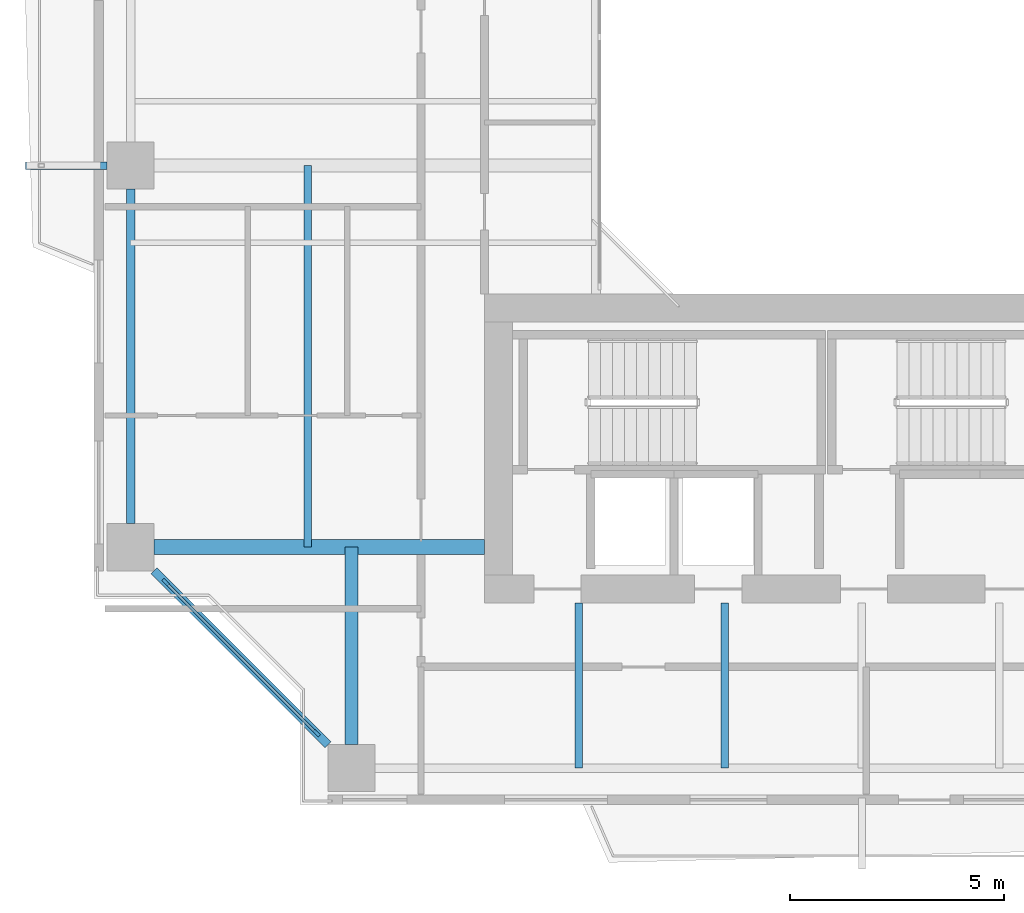
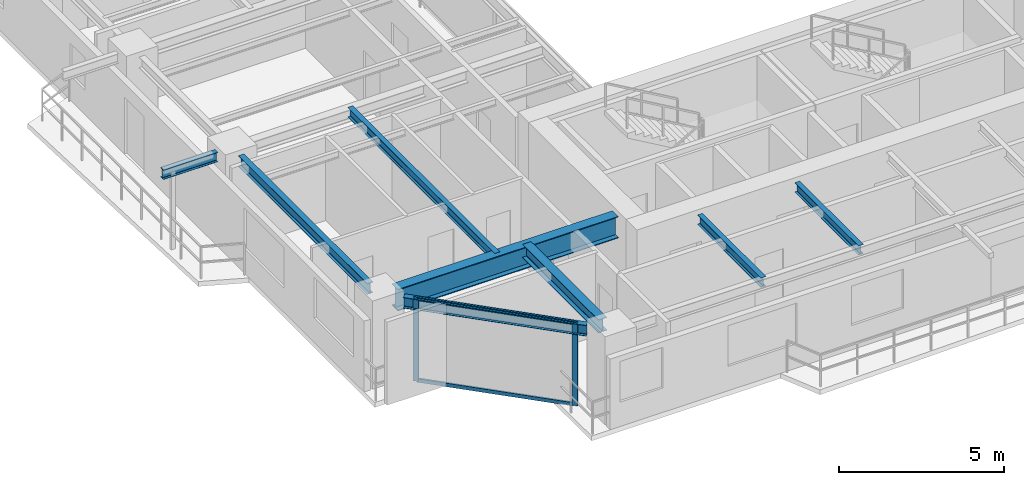
# One storey, part 2 of 17: 8 beams, 4 members, 1 element without a shape of its own.
"""IFC4 building model written with IfcOpenShell, lengths in metres."""

from ifc_helpers import new_model, si_unit, direction, frame, origin, origin_2d, place, context, subcontext, project, spatial, rectangle, i_section, extrude, source, transform, mapped, material, layer, layer_set, material_profile, profile_set, type_object, element, aggregate, save


model = new_model("IFC4")

# Units and contexts
model_context = context("Model", 3, precision=1e-05, world=origin(), true_north=direction((0.0, 1.0)))
body_context = subcontext(model_context, "Body", "Model", "MODEL_VIEW")
ifc_project = project(units=[si_unit("LENGTHUNIT", "METRE"), si_unit("AREAUNIT", "SQUARE_METRE"), si_unit("VOLUMEUNIT", "CUBIC_METRE"), si_unit("PLANEANGLEUNIT", "RADIAN"), si_unit("MASSUNIT", "GRAM", prefix="KILO"), si_unit("THERMODYNAMICTEMPERATUREUNIT", "KELVIN"), si_unit("POWERUNIT", "WATT")], contexts=[model_context])

# Site, building, storey
site_placement = place(None, origin())
site = spatial("IfcSite", under=ifc_project, at=site_placement, CompositionType="ELEMENT")
building_placement = place(site_placement, origin())
building = spatial("IfcBuilding", under=site, at=building_placement, Name="Qiaomeng Ring Towers", CompositionType="ELEMENT")
storey_placement = place(building_placement, frame((0.0, 0.0, 126.25)))
storey = spatial("IfcBuildingStorey", under=building, at=storey_placement, Name="L36", CompositionType="ELEMENT", Elevation=126.25)

# Beams
ifc_material_1 = material(Name="Steel Q355B", Category="steel")
ifc_material_profile_1 = material_profile(ifc_material_1, i_section(OverallWidth=0.199951171875, OverallDepth=0.39990234375, WebThickness=0.008056640625, FlangeThickness=0.012939453125, FilletRadius=0.01611328125, at=origin_2d()), Name="HN 400x200x8x13")
ifc_profile_set_1 = profile_set([ifc_material_profile_1], Name="Steel Q355B")
beam_type_1 = type_object("IfcBeamType", Name="STR-BM-HN400", PredefinedType="SPANDREL", material=ifc_profile_set_1)
shared_shape_1 = source(origin(), body_context, "Body", "SweptSolid", [
    extrude(i_section(OverallWidth=0.199951171875, OverallDepth=0.39990234375, WebThickness=0.008056640625, FlangeThickness=0.012939453125, FilletRadius=0.01611328125, at=origin_2d()), origin(), (0.0, 0.0, 1.0), 5.729736328125),
])
beam_1_placement = place(storey_placement, frame((2.499267578125, 10.55078125, 2.8701171875), z_axis=(0.707106781187, -0.707106781187, 0.0), x_axis=(0.707106781187, 0.707106781187, 0.0)))
element("IfcBeam", 1, at=beam_1_placement, inside=storey, type_object=beam_type_1, Name="L36 beam STR-SP-L36-T1-W1-S1", PredefinedType="SPANDREL", context=body_context, shape_type="MappedRepresentation", body=[
    mapped(shared_shape_1, transform((0.0, 0.0, 0.0), x_axis=(1.0, 0.0, 0.0), y_axis=(0.0, 1.0, 0.0), z_axis=(0.0, 0.0, 1.0), scale=1.0)),
])
shared_shape_2 = source(origin(), body_context, "Body", "SweptSolid", [
    extrude(i_section(OverallWidth=0.199951171875, OverallDepth=0.39990234375, WebThickness=0.008056640625, FlangeThickness=0.012939453125, FilletRadius=0.01611328125, at=origin_2d()), origin(), (0.0, 0.0, 1.0), 7.802001953125),
])
beam_2_placement = place(storey_placement, frame((1.949951171875, 19.450927734375, 2.8701171875), z_axis=(0.0, -1.0, 0.0), x_axis=(1.0, 0.0, 0.0)))
element("IfcBeam", 2, at=beam_2_placement, inside=storey, type_object=beam_type_1, Name="L36 beam STR-SP-L36-T1-W2-W1", PredefinedType="SPANDREL", context=body_context, shape_type="MappedRepresentation", body=[
    mapped(shared_shape_2, transform((0.0, 0.0, 0.0), x_axis=(1.0, 0.0, 0.0), y_axis=(0.0, 1.0, 0.0), z_axis=(0.0, 0.0, 1.0), scale=1.0)),
])
ifc_material_2 = material(Name="Steel Q390GJC", Category="steel")
ifc_material_profile_2 = material_profile(ifc_material_2, i_section(OverallWidth=0.35009765625, OverallDepth=0.800048828125, WebThickness=0.01611328125, FlangeThickness=0.028076171875, at=origin_2d()), Name="WH 800x350x16x28")
ifc_profile_set_2 = profile_set([ifc_material_profile_2], Name="Steel Q390GJC")
beam_type_2 = type_object("IfcBeamType", Name="STR-BM-WH800", PredefinedType="BEAM", material=ifc_profile_set_2)
shared_shape_3 = source(origin(), body_context, "Body", "SweptSolid", [
    extrude(i_section(OverallWidth=0.35009765625, OverallDepth=0.800048828125, WebThickness=0.01611328125, FlangeThickness=0.028076171875, at=origin_2d()), origin(), (0.0, 0.0, 1.0), 7.700927734375),
])
beam_3_placement = place(storey_placement, frame((2.4990234375, 11.10009765625, 2.669921875), z_axis=(1.0, 0.0, 0.0), x_axis=(0.0, 1.0, 0.0)))
element("IfcBeam", 3, at=beam_3_placement, inside=storey, type_object=beam_type_2, Name="L36 beam STR-BM-L36-T1-RAD-W1", PredefinedType="BEAM", context=body_context, shape_type="MappedRepresentation", body=[
    mapped(shared_shape_3, transform((0.0, 0.0, 0.0), x_axis=(1.0, 0.0, 0.0), y_axis=(0.0, 1.0, 0.0), z_axis=(0.0, 0.0, 1.0), scale=1.0)),
])
ifc_material_profile_3 = material_profile(ifc_material_1, i_section(OverallWidth=0.300048828125, OverallDepth=0.488037109375, WebThickness=0.010986328125, FlangeThickness=0.01806640625, FilletRadius=0.02587890625, at=origin_2d()), Name="HM 488x300x11x18")
ifc_profile_set_3 = profile_set([ifc_material_profile_3], Name="Steel Q355B")
beam_type_3 = type_object("IfcBeamType", Name="STR-BM-HM488", PredefinedType="BEAM", material=ifc_profile_set_3)
shared_shape_4 = source(origin(), body_context, "Body", "SweptSolid", [
    extrude(i_section(OverallWidth=0.300048828125, OverallDepth=0.488037109375, WebThickness=0.010986328125, FlangeThickness=0.01806640625, FilletRadius=0.02587890625, at=origin_2d()), origin(), (0.0, 0.0, 1.0), 4.60107421875),
])
beam_4_placement = place(storey_placement, frame((7.10009765625, 6.4990234375, 2.825927734375), z_axis=(0.0, 1.0, 0.0), x_axis=(-1.0, 0.0, 0.0)))
element("IfcBeam", 4, at=beam_4_placement, inside=storey, type_object=beam_type_3, Name="L36 beam STR-BM-L36-T1-RAD-S1", PredefinedType="BEAM", context=body_context, shape_type="MappedRepresentation", body=[
    mapped(shared_shape_4, transform((0.0, 0.0, 0.0), x_axis=(1.0, 0.0, 0.0), y_axis=(0.0, 1.0, 0.0), z_axis=(0.0, 0.0, 1.0), scale=1.0)),
])
ifc_material_profile_4 = material_profile(ifc_material_1, i_section(OverallWidth=0.175048828125, OverallDepth=0.35009765625, WebThickness=0.007080078125, FlangeThickness=0.010986328125, FilletRadius=0.013916015625, at=origin_2d()), Name="HN 350x175x7x11")
ifc_profile_set_4 = profile_set([ifc_material_profile_4], Name="Steel Q355B")
beam_type_4 = type_object("IfcBeamType", Name="STR-BM-HN350", PredefinedType="JOIST", material=ifc_profile_set_4)
shared_shape_5 = source(origin(), body_context, "Body", "SweptSolid", [
    extrude(i_section(OverallWidth=0.175048828125, OverallDepth=0.35009765625, WebThickness=0.007080078125, FlangeThickness=0.010986328125, FilletRadius=0.013916015625, at=origin_2d()), origin(), (0.0, 0.0, 1.0), 3.85009765625),
])
for number, where, z_axis, x_axis, name in (
    (5, (12.39990234375, 5.949951171875, 2.89501953125), (0.0, 1.0, 0.0), (-1.0, 0.0, 0.0), "L36 beam STR-JST-L36-T1S-1"),
    (6, (15.800048828125, 5.949951171875, 2.89501953125), (0.0, 1.0, 0.0), (-1.0, 0.0, 0.0), "L36 beam STR-JST-L36-T1S-2"),
):
    element("IfcBeam", number, at=place(storey_placement, frame(where, z_axis=z_axis, x_axis=x_axis)), inside=storey, type_object=beam_type_4, Name=name, PredefinedType="JOIST", context=body_context, shape_type="MappedRepresentation", body=[
        mapped(shared_shape_5, transform((0.0, 0.0, 0.0), x_axis=(1.0, 0.0, 0.0), y_axis=(0.0, 1.0, 0.0), z_axis=(0.0, 0.0, 1.0), scale=1.0)),
    ])
shared_shape_6 = source(origin(), body_context, "Body", "SweptSolid", [
    extrude(i_section(OverallWidth=0.175048828125, OverallDepth=0.35009765625, WebThickness=0.007080078125, FlangeThickness=0.010986328125, FilletRadius=0.013916015625, at=origin_2d()), origin(), (0.0, 0.0, 1.0), 8.89990234375),
])
beam_5_placement = place(storey_placement, frame((6.074951171875, 11.10009765625, 2.89501953125), z_axis=(0.0, 1.0, 0.0), x_axis=(-1.0, 0.0, 0.0)))
element("IfcBeam", 7, at=beam_5_placement, inside=storey, type_object=beam_type_4, Name="L36 beam STR-JST-L36-T1C-WS", PredefinedType="JOIST", context=body_context, shape_type="MappedRepresentation", body=[
    mapped(shared_shape_6, transform((0.0, 0.0, 0.0), x_axis=(1.0, 0.0, 0.0), y_axis=(0.0, 1.0, 0.0), z_axis=(0.0, 0.0, 1.0), scale=1.0)),
])
shared_shape_7 = source(origin(), body_context, "Body", "SweptSolid", [
    extrude(i_section(OverallWidth=0.175048828125, OverallDepth=0.35009765625, WebThickness=0.007080078125, FlangeThickness=0.010986328125, FilletRadius=0.013916015625, at=origin_2d()), origin(), (0.0, 0.0, 1.0), 1.90087890625),
])
beam_6_placement = place(storey_placement, frame((-0.5, 20.0, 2.89501953125), z_axis=(1.0, 0.0, 0.0), x_axis=(0.0, 1.0, 0.0)))
element("IfcBeam", 8, at=beam_6_placement, inside=storey, type_object=beam_type_4, Name="L36 beam STR-BALBM-L36-W2", PredefinedType="JOIST", context=body_context, shape_type="MappedRepresentation", body=[
    mapped(shared_shape_7, transform((0.0, 0.0, 0.0), x_axis=(1.0, 0.0, 0.0), y_axis=(0.0, 1.0, 0.0), z_axis=(0.0, 0.0, 1.0), scale=1.0)),
])

# Curtain wall, members
ifc_material_3 = material(Name="Fluorocarbon dark-grey aluminium", Category="aluminium")
ifc_layer = layer(ifc_material_3, 0.14990234375, Name="Fluorocarbon dark-grey aluminium")
ifc_layer_set = layer_set([ifc_layer], Name="Fluorocarbon dark-grey aluminium")
curtain_wall_type = type_object("IfcCurtainWallType", Name="ARC-CW-3", PredefinedType="NOTDEFINED", material=ifc_layer_set)
curtain_wall_placement = place(storey_placement, origin())
curtain_wall = element("IfcCurtainWall", 9, at=curtain_wall_placement, inside=storey, type_object=curtain_wall_type, Name="L36 Curtain Wall CW3", PredefinedType="NOTDEFINED")
ifc_material_profile_5 = material_profile(ifc_material_3, rectangle(XDim=0.070068359375, YDim=0.179931640625, at=origin_2d()), Name="ALU MULL 70x180")
ifc_profile_set_5 = profile_set([ifc_material_profile_5], Name="Fluorocarbon dark-grey aluminium")
member_type_1 = type_object("IfcMemberType", Name="ARC-CWM-160", PredefinedType="MULLION", material=ifc_profile_set_5)
shared_shape_8 = source(origin(), body_context, "Body", "SweptSolid", [
    extrude(rectangle(XDim=0.070068359375, YDim=0.179931640625, at=origin_2d()), origin(), (0.0, 0.0, 1.0), 3.070068359375),
])
member_1_placement = place(storey_placement, frame((2.7646484375, 10.28515625, 0.0), z_axis=(0.0, 0.0, 1.0), x_axis=(0.707106781187, 0.707106781187, 0.0)))
member_1 = element("IfcMember", 10, at=member_1_placement, type_object=member_type_1, Name="CW3 mullion 1", PredefinedType="MULLION", context=body_context, shape_type="MappedRepresentation", body=[
    mapped(shared_shape_8, transform((0.0, 0.0, 0.0), x_axis=(1.0, 0.0, 0.0), y_axis=(0.0, 1.0, 0.0), z_axis=(0.0, 0.0, 1.0), scale=1.0)),
])
member_2_placement = place(storey_placement, frame((6.28515625, 6.7646484375, 0.0), z_axis=(0.0, 0.0, 1.0), x_axis=(0.707106781187, 0.707106781187, 0.0)))
member_2 = element("IfcMember", 11, at=member_2_placement, type_object=member_type_1, Name="CW3 mullion 2", PredefinedType="MULLION", context=body_context, shape_type="MappedRepresentation", body=[
    mapped(shared_shape_8, transform((0.0, 0.0, 0.0), x_axis=(1.0, 0.0, 0.0), y_axis=(0.0, 1.0, 0.0), z_axis=(0.0, 0.0, 1.0), scale=1.0)),
])
ifc_material_profile_6 = material_profile(ifc_material_3, rectangle(XDim=0.06494140625, YDim=0.1298828125, at=origin_2d()), Name="ALU TRAN 65x130")
ifc_profile_set_6 = profile_set([ifc_material_profile_6], Name="Fluorocarbon dark-grey aluminium")
member_type_2 = type_object("IfcMemberType", Name="ARC-CWT-120", PredefinedType="USERDEFINED", material=ifc_profile_set_6)
shared_shape_9 = source(origin(), body_context, "Body", "SweptSolid", [
    extrude(rectangle(XDim=0.06494140625, YDim=0.1298828125, at=origin_2d()), origin(), (0.0, 0.0, 1.0), 4.90869140625),
])
member_3_placement = place(storey_placement, frame((2.78955078125, 10.260498046875, 0.032470703125), z_axis=(0.707106781187, -0.707106781187, 0.0), x_axis=(0.707106781187, 0.707106781187, 0.0)))
member_3 = element("IfcMember", 12, at=member_3_placement, type_object=member_type_2, Name="CW3 transom 1.1", ObjectType="TRANSOM", PredefinedType="USERDEFINED", context=body_context, shape_type="MappedRepresentation", body=[
    mapped(shared_shape_9, transform((0.0, 0.0, 0.0), x_axis=(1.0, 0.0, 0.0), y_axis=(0.0, 1.0, 0.0), z_axis=(0.0, 0.0, 1.0), scale=1.0)),
])
member_4_placement = place(storey_placement, frame((2.78955078125, 10.260498046875, 3.03759765625), z_axis=(0.707106781187, -0.707106781187, 0.0), x_axis=(0.707106781187, 0.707106781187, 0.0)))
member_4 = element("IfcMember", 13, at=member_4_placement, type_object=member_type_2, Name="CW3 transom 1.2", ObjectType="TRANSOM", PredefinedType="USERDEFINED", context=body_context, shape_type="MappedRepresentation", body=[
    mapped(shared_shape_9, transform((0.0, 0.0, 0.0), x_axis=(1.0, 0.0, 0.0), y_axis=(0.0, 1.0, 0.0), z_axis=(0.0, 0.0, 1.0), scale=1.0)),
])
aggregate(curtain_wall, [member_1, member_2, member_3, member_4])

save(model, "model.ifc")
